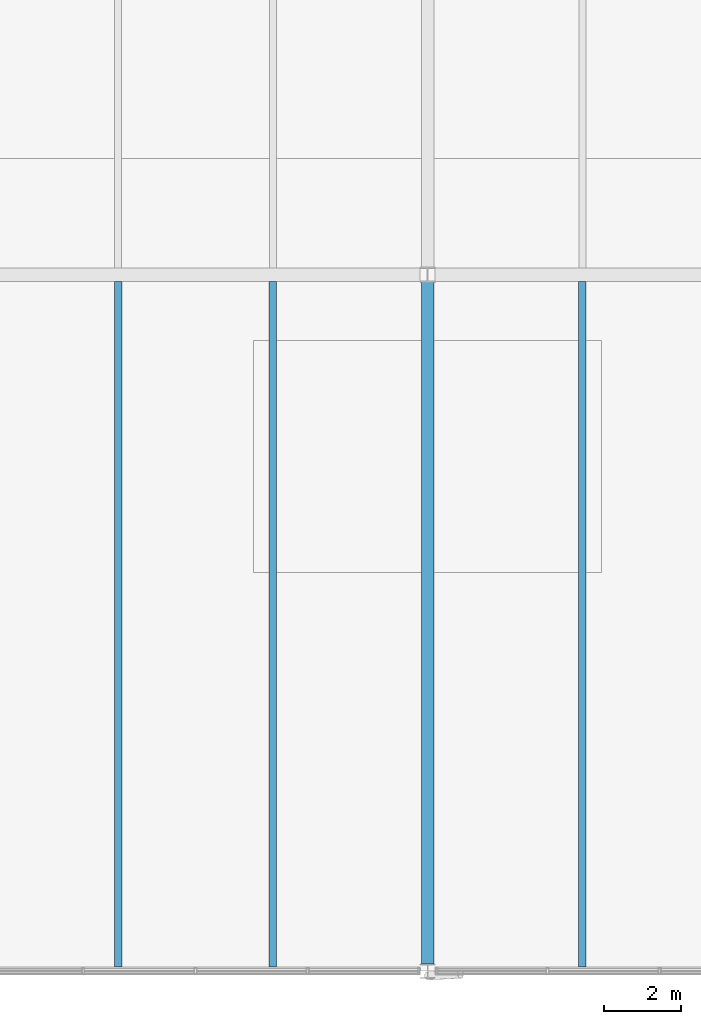
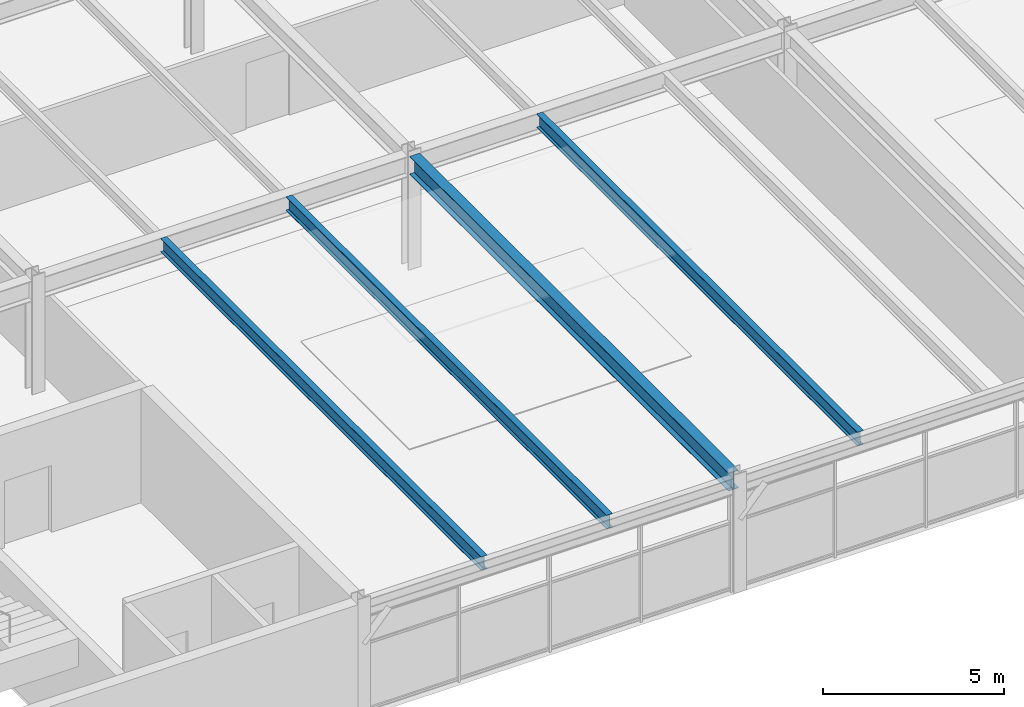
# One storey, part 28 of 49: 4 beams.
"""IFC4 building model written with IfcOpenShell, lengths in metres."""

from ifc_helpers import new_model, si_unit, direction, frame, origin, origin_2d, place, context, subcontext, project, spatial, i_section, extrude, material, material_profile, profile_set, type_object, element, save


model = new_model("IFC4")

# Units and contexts
model_context = context("Model", 3, precision=1e-05, world=origin(), true_north=direction((0.0, 1.0)))
body_context = subcontext(model_context, "Body", "Model", "MODEL_VIEW")
ifc_project = project(units=[si_unit("LENGTHUNIT", "METRE"), si_unit("AREAUNIT", "SQUARE_METRE"), si_unit("VOLUMEUNIT", "CUBIC_METRE"), si_unit("PLANEANGLEUNIT", "RADIAN"), si_unit("MASSUNIT", "GRAM", prefix="KILO")], contexts=[model_context])

# Site, building, storey
site_placement = place(None, origin())
site = spatial("IfcSite", under=ifc_project, at=site_placement, CompositionType="ELEMENT")
building_placement = place(site_placement, origin())
building = spatial("IfcBuilding", under=site, at=building_placement, Name="Girod Span Mobility Hub", CompositionType="ELEMENT")
storey_placement = place(building_placement, frame((0.0, 0.0, 37.60009765625)))
storey = spatial("IfcBuildingStorey", under=building, at=storey_placement, Name="L09", CompositionType="ELEMENT", Elevation=37.60009765625)

# Beams
ifc_material_1 = material(Name="Steel A992 Grade 50", Category="steel")
ifc_material_profile_1 = material_profile(ifc_material_1, i_section(OverallWidth=0.19189453125, OverallDepth=0.462890625, WebThickness=0.010498046875, FlangeThickness=0.017578125, FilletRadius=0.013916015625, at=origin_2d()), Name="W18X60")
ifc_profile_set_1 = profile_set([ifc_material_profile_1], Name="Steel A992 Grade 50")
beam_type_1 = type_object("IfcBeamType", Name="BM-STL-W18X60", PredefinedType="BEAM", material=ifc_profile_set_1)
for number, where, z_axis, x_axis, name in (
    (1, (88.0, 27.10302734375, 3.603515625), (0.0, 1.0, 0.0), (-1.0, 0.0, 0.0), "Composite Floorbeam 8/C-1 L09"),
    (2, (92.0, 27.10302734375, 3.603515625), (0.0, 1.0, 0.0), (-1.0, 0.0, 0.0), "Composite Floorbeam 8/C-2 L09"),
    (3, (100.0, 27.10302734375, 3.603515625), (0.0, 1.0, 0.0), (-1.0, 0.0, 0.0), "Composite Floorbeam 9/C-1 L09"),
):
    element("IfcBeam", number, at=place(storey_placement, frame(where, z_axis=z_axis, x_axis=x_axis)), inside=storey, type_object=beam_type_1, Name=name, PredefinedType="BEAM", context=body_context, shape_type="SweptSolid", body=[
        extrude(i_section(OverallWidth=0.19189453125, OverallDepth=0.462890625, WebThickness=0.010498046875, FlangeThickness=0.017578125, FilletRadius=0.013916015625, at=origin_2d()), origin(), (0.0, 0.0, 1.0), 17.722412109375),
    ])
ifc_material_2 = material(Name="Steel A992 Grade 50", Category="steel")
ifc_material_profile_2 = material_profile(ifc_material_2, i_section(OverallWidth=0.323974609375, OverallDepth=0.611083984375, WebThickness=0.0126953125, FlangeThickness=0.01904296875, FilletRadius=0.014892578125, at=origin_2d()), Name="W24X104")
ifc_profile_set_2 = profile_set([ifc_material_profile_2], Name="Steel A992 Grade 50")
beam_type_2 = type_object("IfcBeamType", Name="BM-STL-W24X104", PredefinedType="BEAM", material=ifc_profile_set_2)
beam_placement = place(storey_placement, frame((96.0, 27.1845703125, 3.529296875), z_axis=(0.0, 1.0, 0.0), x_axis=(-1.0, 0.0, 0.0)))
element("IfcBeam", 4, at=beam_placement, inside=storey, type_object=beam_type_2, Name="Tie Girder 9/C-D L09", PredefinedType="BEAM", context=body_context, shape_type="SweptSolid", body=[
    extrude(i_section(OverallWidth=0.323974609375, OverallDepth=0.611083984375, WebThickness=0.0126953125, FlangeThickness=0.01904296875, FilletRadius=0.014892578125, at=origin_2d()), origin(), (0.0, 0.0, 1.0), 17.621826171875),
])

save(model, "model.ifc")
